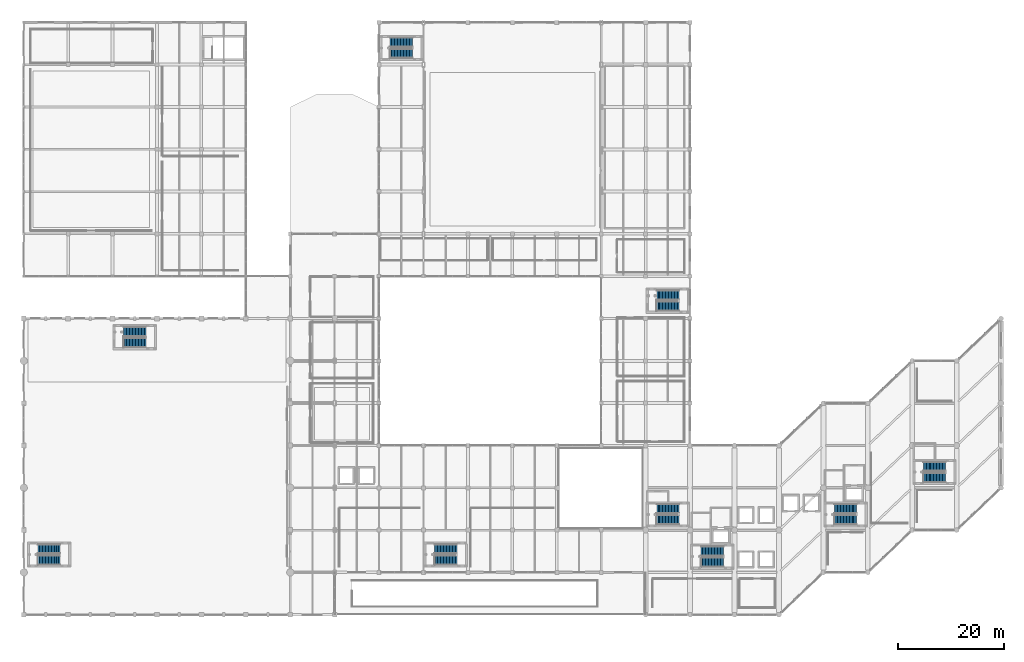
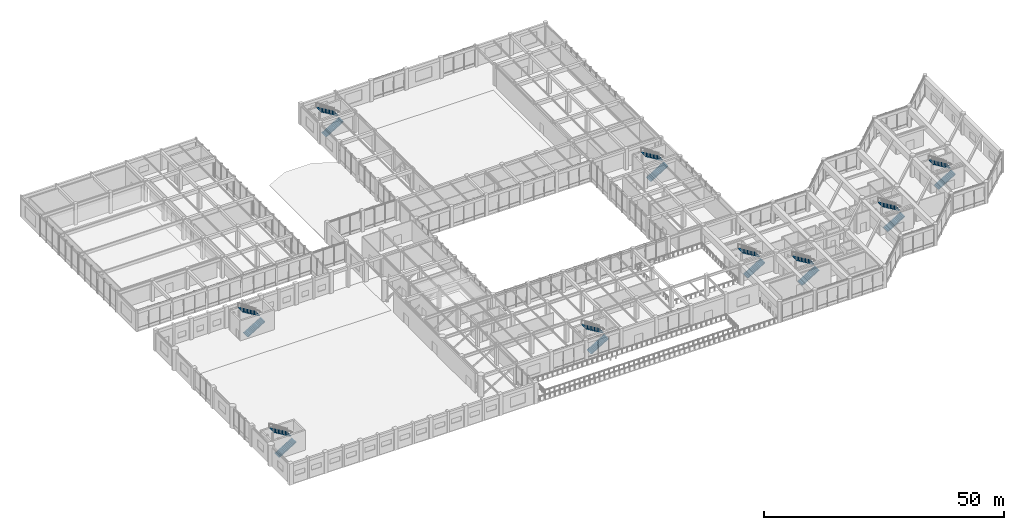
# One storey, part 65 of 79: 18 stair flights, 9 elements without a shape of their own.
"""IFC4 building model written with IfcOpenShell, lengths in metres."""

from ifc_helpers import new_model, si_unit, direction, frame, origin, place, context, subcontext, project, spatial, polyline, outline, extrude, material, type_object, element, aggregate, save


model = new_model("IFC4")

# Units and contexts
model_context = context("Model", 3, precision=1e-05, world=origin(), true_north=direction((0.0, 1.0)))
body_context = subcontext(model_context, "Body", "Model", "MODEL_VIEW")
ifc_project = project(units=[si_unit("LENGTHUNIT", "METRE"), si_unit("AREAUNIT", "SQUARE_METRE"), si_unit("VOLUMEUNIT", "CUBIC_METRE"), si_unit("PLANEANGLEUNIT", "RADIAN"), si_unit("MASSUNIT", "GRAM", prefix="KILO")], contexts=[model_context])

# Site, building, storey
site_placement = place(None, origin())
site = spatial("IfcSite", under=ifc_project, at=site_placement, CompositionType="ELEMENT")
building_placement = place(site_placement, origin())
building = spatial("IfcBuilding", under=site, at=building_placement, Name="Naruveol Harbour Congress Hotel", CompositionType="ELEMENT")
storey_placement = place(building_placement, frame((0.0, 0.0, 6.0)))
storey = spatial("IfcBuildingStorey", under=building, at=storey_placement, Name="L01", CompositionType="ELEMENT", Elevation=6.0)

# Stair, stair flights
ifc_material_1 = material(Name="Concrete C40/50", Category="concrete")
stair_type = type_object("IfcStairType", Name="RC DOG LEG ESCAPE STAIR 1800W H5400", PredefinedType="HALF_TURN_STAIR", material=ifc_material_1)
stair_1_placement = place(storey_placement, origin())
stair_1 = element("IfcStair", 1, at=stair_1_placement, inside=storey, type_object=stair_type, Name="Special Escape Stair ST1 L01 to L02", PredefinedType="HALF_TURN_STAIR")
ifc_material_2 = material(Name="Concrete C40/50", Category="concrete")
stair_flight_type = type_object("IfcStairFlightType", Name="RC STRAIGHT STAIR FLIGHT 1800W R16", PredefinedType="STRAIGHT", material=ifc_material_2)
stair_flight_1_placement = place(storey_placement, frame((128.10009765625, 9.919921875, 0.0), z_axis=(0.0, 0.0, 1.0), x_axis=(1.0, 0.0, 0.0)))
stair_flight_1 = element("IfcStairFlight", 2, at=stair_flight_1_placement, type_object=stair_flight_type, Name="ST1 L01 lower flight", NumberOfRisers=16, NumberOfTreads=15, PredefinedType="STRAIGHT", RiserHeight=0.16875, TreadLength=0.28, context=body_context, shape_type="SweptSolid", body=[
    extrude(outline(polyline([(0.0, 0.0), (0.0, 0.168701171875), (0.280029296875, 0.168701171875), (0.280029296875, 0.33740234375), (0.56005859375, 0.33740234375), (0.56005859375, 0.50634765625), (0.840087890625, 0.50634765625), (0.840087890625, 0.675048828125), (1.1201171875, 0.675048828125), (1.1201171875, 0.84375), (1.39990234375, 0.84375), (1.39990234375, 1.012451171875), (1.679931640625, 1.012451171875), (1.679931640625, 1.18115234375), (1.9599609375, 1.18115234375), (1.9599609375, 1.35009765625), (2.239990234375, 1.35009765625), (2.239990234375, 1.518798828125), (2.52001953125, 1.518798828125), (2.52001953125, 1.6875), (2.800048828125, 1.6875), (2.800048828125, 1.856201171875), (3.080078125, 1.856201171875), (3.080078125, 2.02490234375), (3.360107421875, 2.02490234375), (3.360107421875, 2.19384765625), (3.639892578125, 2.19384765625), (3.639892578125, 2.362548828125), (3.919921875, 2.362548828125), (3.919921875, 2.53125), (4.199951171875, 2.53125), (4.199951171875, 2.699951171875), (4.199951171875, 2.344482421875), (0.309814453125, 0.0), (0.0, 0.0)])), frame((0.0, 0.89990234375, 0.0), z_axis=(0.0, -1.0, 0.0), x_axis=(1.0, 0.0, 0.0)), (0.0, 0.0, 1.0), 1.800048828125),
])
stair_flight_2_placement = place(storey_placement, frame((132.300048828125, 12.0400390625, 2.699951171875), z_axis=(0.0, 0.0, 1.0), x_axis=(-1.0, 0.0, 0.0)))
stair_flight_2 = element("IfcStairFlight", 3, at=stair_flight_2_placement, type_object=stair_flight_type, Name="ST1 L01 upper flight", NumberOfRisers=16, NumberOfTreads=15, PredefinedType="STRAIGHT", RiserHeight=0.16875, TreadLength=0.28, context=body_context, shape_type="SweptSolid", body=[
    extrude(outline(polyline([(0.0, 0.0), (0.0, 0.168701171875), (0.280029296875, 0.168701171875), (0.280029296875, 0.33740234375), (0.56005859375, 0.33740234375), (0.56005859375, 0.50634765625), (0.840087890625, 0.50634765625), (0.840087890625, 0.675048828125), (1.1201171875, 0.675048828125), (1.1201171875, 0.84375), (1.39990234375, 0.84375), (1.39990234375, 1.012451171875), (1.679931640625, 1.012451171875), (1.679931640625, 1.18115234375), (1.9599609375, 1.18115234375), (1.9599609375, 1.35009765625), (2.239990234375, 1.35009765625), (2.239990234375, 1.518798828125), (2.52001953125, 1.518798828125), (2.52001953125, 1.6875), (2.800048828125, 1.6875), (2.800048828125, 1.856201171875), (3.080078125, 1.856201171875), (3.080078125, 2.02490234375), (3.360107421875, 2.02490234375), (3.360107421875, 2.19384765625), (3.639892578125, 2.19384765625), (3.639892578125, 2.362548828125), (3.919921875, 2.362548828125), (3.919921875, 2.53125), (4.199951171875, 2.53125), (4.199951171875, 2.699951171875), (4.199951171875, 2.344482421875), (0.309814453125, 0.0), (0.0, 0.0)])), frame((0.0, 0.89990234375, 0.0), z_axis=(0.0, -1.0, 0.0), x_axis=(1.0, 0.0, 0.0)), (0.0, 0.0, 1.0), 1.800048828125),
])
aggregate(stair_1, [stair_flight_1, stair_flight_2])

stair_2_placement = place(storey_placement, origin())
stair_2 = element("IfcStair", 4, at=stair_2_placement, inside=storey, type_object=stair_type, Name="Special Escape Stair ST2 L01 to L02", PredefinedType="HALF_TURN_STAIR")
stair_flight_3_placement = place(storey_placement, frame((153.300048828125, 17.919921875, 0.0), z_axis=(0.0, 0.0, 1.0), x_axis=(1.0, 0.0, 0.0)))
stair_flight_3 = element("IfcStairFlight", 5, at=stair_flight_3_placement, type_object=stair_flight_type, Name="ST2 L01 lower flight", NumberOfRisers=16, NumberOfTreads=15, PredefinedType="STRAIGHT", RiserHeight=0.16875, TreadLength=0.28, context=body_context, shape_type="SweptSolid", body=[
    extrude(outline(polyline([(0.0, 0.0), (0.0, 0.168701171875), (0.280029296875, 0.168701171875), (0.280029296875, 0.33740234375), (0.56005859375, 0.33740234375), (0.56005859375, 0.50634765625), (0.840087890625, 0.50634765625), (0.840087890625, 0.675048828125), (1.1201171875, 0.675048828125), (1.1201171875, 0.84375), (1.39990234375, 0.84375), (1.39990234375, 1.012451171875), (1.679931640625, 1.012451171875), (1.679931640625, 1.18115234375), (1.9599609375, 1.18115234375), (1.9599609375, 1.35009765625), (2.239990234375, 1.35009765625), (2.239990234375, 1.518798828125), (2.52001953125, 1.518798828125), (2.52001953125, 1.6875), (2.800048828125, 1.6875), (2.800048828125, 1.856201171875), (3.080078125, 1.856201171875), (3.080078125, 2.02490234375), (3.360107421875, 2.02490234375), (3.360107421875, 2.19384765625), (3.639892578125, 2.19384765625), (3.639892578125, 2.362548828125), (3.919921875, 2.362548828125), (3.919921875, 2.53125), (4.199951171875, 2.53125), (4.199951171875, 2.699951171875), (4.199951171875, 2.344482421875), (0.309814453125, 0.0), (0.0, 0.0)])), frame((0.0, 0.89990234375, 0.0), z_axis=(0.0, -1.0, 0.0), x_axis=(1.0, 0.0, 0.0)), (0.0, 0.0, 1.0), 1.800048828125),
])
stair_flight_4_placement = place(storey_placement, frame((157.5, 20.0400390625, 2.699951171875), z_axis=(0.0, 0.0, 1.0), x_axis=(-1.0, 0.0, 0.0)))
stair_flight_4 = element("IfcStairFlight", 6, at=stair_flight_4_placement, type_object=stair_flight_type, Name="ST2 L01 upper flight", NumberOfRisers=16, NumberOfTreads=15, PredefinedType="STRAIGHT", RiserHeight=0.16875, TreadLength=0.28, context=body_context, shape_type="SweptSolid", body=[
    extrude(outline(polyline([(0.0, 0.0), (0.0, 0.168701171875), (0.280029296875, 0.168701171875), (0.280029296875, 0.33740234375), (0.56005859375, 0.33740234375), (0.56005859375, 0.50634765625), (0.840087890625, 0.50634765625), (0.840087890625, 0.675048828125), (1.1201171875, 0.675048828125), (1.1201171875, 0.84375), (1.39990234375, 0.84375), (1.39990234375, 1.012451171875), (1.679931640625, 1.012451171875), (1.679931640625, 1.18115234375), (1.9599609375, 1.18115234375), (1.9599609375, 1.35009765625), (2.239990234375, 1.35009765625), (2.239990234375, 1.518798828125), (2.52001953125, 1.518798828125), (2.52001953125, 1.6875), (2.800048828125, 1.6875), (2.800048828125, 1.856201171875), (3.080078125, 1.856201171875), (3.080078125, 2.02490234375), (3.360107421875, 2.02490234375), (3.360107421875, 2.19384765625), (3.639892578125, 2.19384765625), (3.639892578125, 2.362548828125), (3.919921875, 2.362548828125), (3.919921875, 2.53125), (4.199951171875, 2.53125), (4.199951171875, 2.699951171875), (4.199951171875, 2.344482421875), (0.309814453125, 0.0), (0.0, 0.0)])), frame((0.0, 0.89990234375, 0.0), z_axis=(0.0, -1.0, 0.0), x_axis=(1.0, 0.0, 0.0)), (0.0, 0.0, 1.0), 1.800048828125),
])
aggregate(stair_2, [stair_flight_3, stair_flight_4])

stair_3_placement = place(storey_placement, origin())
stair_3 = element("IfcStair", 7, at=stair_3_placement, inside=storey, type_object=stair_type, Name="Special Escape Stair ST3 L01 to L02", PredefinedType="HALF_TURN_STAIR")
stair_flight_5_placement = place(storey_placement, frame((119.699951171875, 17.919921875, 0.0), z_axis=(0.0, 0.0, 1.0), x_axis=(1.0, 0.0, 0.0)))
stair_flight_5 = element("IfcStairFlight", 8, at=stair_flight_5_placement, type_object=stair_flight_type, Name="ST3 L01 lower flight", NumberOfRisers=16, NumberOfTreads=15, PredefinedType="STRAIGHT", RiserHeight=0.16875, TreadLength=0.28, context=body_context, shape_type="SweptSolid", body=[
    extrude(outline(polyline([(0.0, 0.0), (0.0, 0.168701171875), (0.280029296875, 0.168701171875), (0.280029296875, 0.33740234375), (0.56005859375, 0.33740234375), (0.56005859375, 0.50634765625), (0.840087890625, 0.50634765625), (0.840087890625, 0.675048828125), (1.1201171875, 0.675048828125), (1.1201171875, 0.84375), (1.39990234375, 0.84375), (1.39990234375, 1.012451171875), (1.679931640625, 1.012451171875), (1.679931640625, 1.18115234375), (1.9599609375, 1.18115234375), (1.9599609375, 1.35009765625), (2.239990234375, 1.35009765625), (2.239990234375, 1.518798828125), (2.52001953125, 1.518798828125), (2.52001953125, 1.6875), (2.800048828125, 1.6875), (2.800048828125, 1.856201171875), (3.080078125, 1.856201171875), (3.080078125, 2.02490234375), (3.360107421875, 2.02490234375), (3.360107421875, 2.19384765625), (3.639892578125, 2.19384765625), (3.639892578125, 2.362548828125), (3.919921875, 2.362548828125), (3.919921875, 2.53125), (4.199951171875, 2.53125), (4.199951171875, 2.699951171875), (4.199951171875, 2.344482421875), (0.309814453125, 0.0), (0.0, 0.0)])), frame((0.0, 0.89990234375, 0.0), z_axis=(0.0, -1.0, 0.0), x_axis=(1.0, 0.0, 0.0)), (0.0, 0.0, 1.0), 1.800048828125),
])
stair_flight_6_placement = place(storey_placement, frame((123.89990234375, 20.0400390625, 2.699951171875), z_axis=(0.0, 0.0, 1.0), x_axis=(-1.0, 0.0, 0.0)))
stair_flight_6 = element("IfcStairFlight", 9, at=stair_flight_6_placement, type_object=stair_flight_type, Name="ST3 L01 upper flight", NumberOfRisers=16, NumberOfTreads=15, PredefinedType="STRAIGHT", RiserHeight=0.16875, TreadLength=0.28, context=body_context, shape_type="SweptSolid", body=[
    extrude(outline(polyline([(0.0, 0.0), (0.0, 0.168701171875), (0.280029296875, 0.168701171875), (0.280029296875, 0.33740234375), (0.56005859375, 0.33740234375), (0.56005859375, 0.50634765625), (0.840087890625, 0.50634765625), (0.840087890625, 0.675048828125), (1.1201171875, 0.675048828125), (1.1201171875, 0.84375), (1.39990234375, 0.84375), (1.39990234375, 1.012451171875), (1.679931640625, 1.012451171875), (1.679931640625, 1.18115234375), (1.9599609375, 1.18115234375), (1.9599609375, 1.35009765625), (2.239990234375, 1.35009765625), (2.239990234375, 1.518798828125), (2.52001953125, 1.518798828125), (2.52001953125, 1.6875), (2.800048828125, 1.6875), (2.800048828125, 1.856201171875), (3.080078125, 1.856201171875), (3.080078125, 2.02490234375), (3.360107421875, 2.02490234375), (3.360107421875, 2.19384765625), (3.639892578125, 2.19384765625), (3.639892578125, 2.362548828125), (3.919921875, 2.362548828125), (3.919921875, 2.53125), (4.199951171875, 2.53125), (4.199951171875, 2.699951171875), (4.199951171875, 2.344482421875), (0.309814453125, 0.0), (0.0, 0.0)])), frame((0.0, 0.89990234375, 0.0), z_axis=(0.0, -1.0, 0.0), x_axis=(1.0, 0.0, 0.0)), (0.0, 0.0, 1.0), 1.800048828125),
])
aggregate(stair_3, [stair_flight_5, stair_flight_6])

stair_4_placement = place(storey_placement, origin())
stair_4 = element("IfcStair", 10, at=stair_4_placement, inside=storey, type_object=stair_type, Name="Special Escape Stair ST4 L01 to L02", PredefinedType="HALF_TURN_STAIR")
stair_flight_7_placement = place(storey_placement, frame((170.10009765625, 25.919921875, 0.0), z_axis=(0.0, 0.0, 1.0), x_axis=(1.0, 0.0, 0.0)))
stair_flight_7 = element("IfcStairFlight", 11, at=stair_flight_7_placement, type_object=stair_flight_type, Name="ST4 L01 lower flight", NumberOfRisers=16, NumberOfTreads=15, PredefinedType="STRAIGHT", RiserHeight=0.16875, TreadLength=0.28, context=body_context, shape_type="SweptSolid", body=[
    extrude(outline(polyline([(0.0, 0.0), (0.0, 0.168701171875), (0.280029296875, 0.168701171875), (0.280029296875, 0.33740234375), (0.56005859375, 0.33740234375), (0.56005859375, 0.50634765625), (0.840087890625, 0.50634765625), (0.840087890625, 0.675048828125), (1.1201171875, 0.675048828125), (1.1201171875, 0.84375), (1.39990234375, 0.84375), (1.39990234375, 1.012451171875), (1.679931640625, 1.012451171875), (1.679931640625, 1.18115234375), (1.9599609375, 1.18115234375), (1.9599609375, 1.35009765625), (2.239990234375, 1.35009765625), (2.239990234375, 1.518798828125), (2.52001953125, 1.518798828125), (2.52001953125, 1.6875), (2.800048828125, 1.6875), (2.800048828125, 1.856201171875), (3.080078125, 1.856201171875), (3.080078125, 2.02490234375), (3.360107421875, 2.02490234375), (3.360107421875, 2.19384765625), (3.639892578125, 2.19384765625), (3.639892578125, 2.362548828125), (3.919921875, 2.362548828125), (3.919921875, 2.53125), (4.199951171875, 2.53125), (4.199951171875, 2.699951171875), (4.199951171875, 2.344482421875), (0.309814453125, 0.0), (0.0, 0.0)])), frame((0.0, 0.89990234375, 0.0), z_axis=(0.0, -1.0, 0.0), x_axis=(1.0, 0.0, 0.0)), (0.0, 0.0, 1.0), 1.800048828125),
])
stair_flight_8_placement = place(storey_placement, frame((174.300048828125, 28.0400390625, 2.699951171875), z_axis=(0.0, 0.0, 1.0), x_axis=(-1.0, 0.0, 0.0)))
stair_flight_8 = element("IfcStairFlight", 12, at=stair_flight_8_placement, type_object=stair_flight_type, Name="ST4 L01 upper flight", NumberOfRisers=16, NumberOfTreads=15, PredefinedType="STRAIGHT", RiserHeight=0.16875, TreadLength=0.28, context=body_context, shape_type="SweptSolid", body=[
    extrude(outline(polyline([(0.0, 0.0), (0.0, 0.168701171875), (0.280029296875, 0.168701171875), (0.280029296875, 0.33740234375), (0.56005859375, 0.33740234375), (0.56005859375, 0.50634765625), (0.840087890625, 0.50634765625), (0.840087890625, 0.675048828125), (1.1201171875, 0.675048828125), (1.1201171875, 0.84375), (1.39990234375, 0.84375), (1.39990234375, 1.012451171875), (1.679931640625, 1.012451171875), (1.679931640625, 1.18115234375), (1.9599609375, 1.18115234375), (1.9599609375, 1.35009765625), (2.239990234375, 1.35009765625), (2.239990234375, 1.518798828125), (2.52001953125, 1.518798828125), (2.52001953125, 1.6875), (2.800048828125, 1.6875), (2.800048828125, 1.856201171875), (3.080078125, 1.856201171875), (3.080078125, 2.02490234375), (3.360107421875, 2.02490234375), (3.360107421875, 2.19384765625), (3.639892578125, 2.19384765625), (3.639892578125, 2.362548828125), (3.919921875, 2.362548828125), (3.919921875, 2.53125), (4.199951171875, 2.53125), (4.199951171875, 2.699951171875), (4.199951171875, 2.344482421875), (0.309814453125, 0.0), (0.0, 0.0)])), frame((0.0, 0.89990234375, 0.0), z_axis=(0.0, -1.0, 0.0), x_axis=(1.0, 0.0, 0.0)), (0.0, 0.0, 1.0), 1.800048828125),
])
aggregate(stair_4, [stair_flight_7, stair_flight_8])

stair_5_placement = place(storey_placement, origin())
stair_5 = element("IfcStair", 13, at=stair_5_placement, inside=storey, type_object=stair_type, Name="Congress West Exit Stair ST5 L01 to L02", PredefinedType="HALF_TURN_STAIR")
stair_flight_9_placement = place(storey_placement, frame((2.699951171875, 10.320068359375, 0.0), z_axis=(0.0, 0.0, 1.0), x_axis=(1.0, 0.0, 0.0)))
stair_flight_9 = element("IfcStairFlight", 14, at=stair_flight_9_placement, type_object=stair_flight_type, Name="ST5 L01 lower flight", NumberOfRisers=16, NumberOfTreads=15, PredefinedType="STRAIGHT", RiserHeight=0.16875, TreadLength=0.28, context=body_context, shape_type="SweptSolid", body=[
    extrude(outline(polyline([(0.0, 0.0), (0.0, 0.168701171875), (0.280029296875, 0.168701171875), (0.280029296875, 0.33740234375), (0.56005859375, 0.33740234375), (0.56005859375, 0.50634765625), (0.840087890625, 0.50634765625), (0.840087890625, 0.675048828125), (1.1201171875, 0.675048828125), (1.1201171875, 0.84375), (1.39990234375, 0.84375), (1.39990234375, 1.012451171875), (1.679931640625, 1.012451171875), (1.679931640625, 1.18115234375), (1.9599609375, 1.18115234375), (1.9599609375, 1.35009765625), (2.239990234375, 1.35009765625), (2.239990234375, 1.518798828125), (2.52001953125, 1.518798828125), (2.52001953125, 1.6875), (2.800048828125, 1.6875), (2.800048828125, 1.856201171875), (3.080078125, 1.856201171875), (3.080078125, 2.02490234375), (3.360107421875, 2.02490234375), (3.360107421875, 2.19384765625), (3.639892578125, 2.19384765625), (3.639892578125, 2.362548828125), (3.919921875, 2.362548828125), (3.919921875, 2.53125), (4.199951171875, 2.53125), (4.199951171875, 2.699951171875), (4.199951171875, 2.344482421875), (0.309814453125, 0.0), (0.0, 0.0)])), frame((0.0, 0.89990234375, 0.0), z_axis=(0.0, -1.0, 0.0), x_axis=(1.0, 0.0, 0.0)), (0.0, 0.0, 1.0), 1.800048828125),
])
stair_flight_10_placement = place(storey_placement, frame((6.89990234375, 12.43994140625, 2.699951171875), z_axis=(0.0, 0.0, 1.0), x_axis=(-1.0, 0.0, 0.0)))
stair_flight_10 = element("IfcStairFlight", 15, at=stair_flight_10_placement, type_object=stair_flight_type, Name="ST5 L01 upper flight", NumberOfRisers=16, NumberOfTreads=15, PredefinedType="STRAIGHT", RiserHeight=0.16875, TreadLength=0.28, context=body_context, shape_type="SweptSolid", body=[
    extrude(outline(polyline([(0.0, 0.0), (0.0, 0.168701171875), (0.280029296875, 0.168701171875), (0.280029296875, 0.33740234375), (0.56005859375, 0.33740234375), (0.56005859375, 0.50634765625), (0.840087890625, 0.50634765625), (0.840087890625, 0.675048828125), (1.1201171875, 0.675048828125), (1.1201171875, 0.84375), (1.39990234375, 0.84375), (1.39990234375, 1.012451171875), (1.679931640625, 1.012451171875), (1.679931640625, 1.18115234375), (1.9599609375, 1.18115234375), (1.9599609375, 1.35009765625), (2.239990234375, 1.35009765625), (2.239990234375, 1.518798828125), (2.52001953125, 1.518798828125), (2.52001953125, 1.6875), (2.800048828125, 1.6875), (2.800048828125, 1.856201171875), (3.080078125, 1.856201171875), (3.080078125, 2.02490234375), (3.360107421875, 2.02490234375), (3.360107421875, 2.19384765625), (3.639892578125, 2.19384765625), (3.639892578125, 2.362548828125), (3.919921875, 2.362548828125), (3.919921875, 2.53125), (4.199951171875, 2.53125), (4.199951171875, 2.699951171875), (4.199951171875, 2.344482421875), (0.309814453125, 0.0), (0.0, 0.0)])), frame((0.0, 0.89990234375, 0.0), z_axis=(0.0, -1.0, 0.0), x_axis=(1.0, 0.0, 0.0)), (0.0, 0.0, 1.0), 1.800048828125),
])
aggregate(stair_5, [stair_flight_9, stair_flight_10])

stair_6_placement = place(storey_placement, origin())
stair_6 = element("IfcStair", 16, at=stair_6_placement, inside=storey, type_object=stair_type, Name="Congress North Exit Stair ST6 L01 to L02", PredefinedType="HALF_TURN_STAIR")
stair_flight_11_placement = place(storey_placement, frame((18.89990234375, 51.419921875, 0.0), z_axis=(0.0, 0.0, 1.0), x_axis=(1.0, 0.0, 0.0)))
stair_flight_11 = element("IfcStairFlight", 17, at=stair_flight_11_placement, type_object=stair_flight_type, Name="ST6 L01 lower flight", NumberOfRisers=16, NumberOfTreads=15, PredefinedType="STRAIGHT", RiserHeight=0.16875, TreadLength=0.28, context=body_context, shape_type="SweptSolid", body=[
    extrude(outline(polyline([(0.0, 0.0), (0.0, 0.168701171875), (0.280029296875, 0.168701171875), (0.280029296875, 0.33740234375), (0.56005859375, 0.33740234375), (0.56005859375, 0.50634765625), (0.840087890625, 0.50634765625), (0.840087890625, 0.675048828125), (1.1201171875, 0.675048828125), (1.1201171875, 0.84375), (1.39990234375, 0.84375), (1.39990234375, 1.012451171875), (1.679931640625, 1.012451171875), (1.679931640625, 1.18115234375), (1.9599609375, 1.18115234375), (1.9599609375, 1.35009765625), (2.239990234375, 1.35009765625), (2.239990234375, 1.518798828125), (2.52001953125, 1.518798828125), (2.52001953125, 1.6875), (2.800048828125, 1.6875), (2.800048828125, 1.856201171875), (3.080078125, 1.856201171875), (3.080078125, 2.02490234375), (3.360107421875, 2.02490234375), (3.360107421875, 2.19384765625), (3.639892578125, 2.19384765625), (3.639892578125, 2.362548828125), (3.919921875, 2.362548828125), (3.919921875, 2.53125), (4.199951171875, 2.53125), (4.199951171875, 2.699951171875), (4.199951171875, 2.344482421875), (0.309814453125, 0.0), (0.0, 0.0)])), frame((0.0, 0.89990234375, 0.0), z_axis=(0.0, -1.0, 0.0), x_axis=(1.0, 0.0, 0.0)), (0.0, 0.0, 1.0), 1.800048828125),
])
stair_flight_12_placement = place(storey_placement, frame((23.10009765625, 53.5400390625, 2.699951171875), z_axis=(0.0, 0.0, 1.0), x_axis=(-1.0, 0.0, 0.0)))
stair_flight_12 = element("IfcStairFlight", 18, at=stair_flight_12_placement, type_object=stair_flight_type, Name="ST6 L01 upper flight", NumberOfRisers=16, NumberOfTreads=15, PredefinedType="STRAIGHT", RiserHeight=0.16875, TreadLength=0.28, context=body_context, shape_type="SweptSolid", body=[
    extrude(outline(polyline([(0.0, 0.0), (0.0, 0.168701171875), (0.280029296875, 0.168701171875), (0.280029296875, 0.33740234375), (0.56005859375, 0.33740234375), (0.56005859375, 0.50634765625), (0.840087890625, 0.50634765625), (0.840087890625, 0.675048828125), (1.1201171875, 0.675048828125), (1.1201171875, 0.84375), (1.39990234375, 0.84375), (1.39990234375, 1.012451171875), (1.679931640625, 1.012451171875), (1.679931640625, 1.18115234375), (1.9599609375, 1.18115234375), (1.9599609375, 1.35009765625), (2.239990234375, 1.35009765625), (2.239990234375, 1.518798828125), (2.52001953125, 1.518798828125), (2.52001953125, 1.6875), (2.800048828125, 1.6875), (2.800048828125, 1.856201171875), (3.080078125, 1.856201171875), (3.080078125, 2.02490234375), (3.360107421875, 2.02490234375), (3.360107421875, 2.19384765625), (3.639892578125, 2.19384765625), (3.639892578125, 2.362548828125), (3.919921875, 2.362548828125), (3.919921875, 2.53125), (4.199951171875, 2.53125), (4.199951171875, 2.699951171875), (4.199951171875, 2.344482421875), (0.309814453125, 0.0), (0.0, 0.0)])), frame((0.0, 0.89990234375, 0.0), z_axis=(0.0, -1.0, 0.0), x_axis=(1.0, 0.0, 0.0)), (0.0, 0.0, 1.0), 1.800048828125),
])
aggregate(stair_6, [stair_flight_11, stair_flight_12])

stair_7_placement = place(storey_placement, origin())
stair_7 = element("IfcStair", 19, at=stair_7_placement, inside=storey, type_object=stair_type, Name="Ballroom West Exit Stair ST8 L01 to L02", PredefinedType="HALF_TURN_STAIR")
stair_flight_13_placement = place(storey_placement, frame((69.300048828125, 106.1201171875, 0.0), z_axis=(0.0, 0.0, 1.0), x_axis=(1.0, 0.0, 0.0)))
stair_flight_13 = element("IfcStairFlight", 20, at=stair_flight_13_placement, type_object=stair_flight_type, Name="ST8 L01 lower flight", NumberOfRisers=16, NumberOfTreads=15, PredefinedType="STRAIGHT", RiserHeight=0.16875, TreadLength=0.28, context=body_context, shape_type="SweptSolid", body=[
    extrude(outline(polyline([(0.0, 0.0), (0.0, 0.168701171875), (0.280029296875, 0.168701171875), (0.280029296875, 0.33740234375), (0.56005859375, 0.33740234375), (0.56005859375, 0.50634765625), (0.840087890625, 0.50634765625), (0.840087890625, 0.675048828125), (1.1201171875, 0.675048828125), (1.1201171875, 0.84375), (1.39990234375, 0.84375), (1.39990234375, 1.012451171875), (1.679931640625, 1.012451171875), (1.679931640625, 1.18115234375), (1.9599609375, 1.18115234375), (1.9599609375, 1.35009765625), (2.239990234375, 1.35009765625), (2.239990234375, 1.518798828125), (2.52001953125, 1.518798828125), (2.52001953125, 1.6875), (2.800048828125, 1.6875), (2.800048828125, 1.856201171875), (3.080078125, 1.856201171875), (3.080078125, 2.02490234375), (3.360107421875, 2.02490234375), (3.360107421875, 2.19384765625), (3.639892578125, 2.19384765625), (3.639892578125, 2.362548828125), (3.919921875, 2.362548828125), (3.919921875, 2.53125), (4.199951171875, 2.53125), (4.199951171875, 2.699951171875), (4.199951171875, 2.344482421875), (0.309814453125, 0.0), (0.0, 0.0)])), frame((0.0, 0.89990234375, 0.0), z_axis=(0.0, -1.0, 0.0), x_axis=(1.0, 0.0, 0.0)), (0.0, 0.0, 1.0), 1.800048828125),
])
stair_flight_14_placement = place(storey_placement, frame((73.5, 108.239990234375, 2.699951171875), z_axis=(0.0, 0.0, 1.0), x_axis=(-1.0, 0.0, 0.0)))
stair_flight_14 = element("IfcStairFlight", 21, at=stair_flight_14_placement, type_object=stair_flight_type, Name="ST8 L01 upper flight", NumberOfRisers=16, NumberOfTreads=15, PredefinedType="STRAIGHT", RiserHeight=0.16875, TreadLength=0.28, context=body_context, shape_type="SweptSolid", body=[
    extrude(outline(polyline([(0.0, 0.0), (0.0, 0.168701171875), (0.280029296875, 0.168701171875), (0.280029296875, 0.33740234375), (0.56005859375, 0.33740234375), (0.56005859375, 0.50634765625), (0.840087890625, 0.50634765625), (0.840087890625, 0.675048828125), (1.1201171875, 0.675048828125), (1.1201171875, 0.84375), (1.39990234375, 0.84375), (1.39990234375, 1.012451171875), (1.679931640625, 1.012451171875), (1.679931640625, 1.18115234375), (1.9599609375, 1.18115234375), (1.9599609375, 1.35009765625), (2.239990234375, 1.35009765625), (2.239990234375, 1.518798828125), (2.52001953125, 1.518798828125), (2.52001953125, 1.6875), (2.800048828125, 1.6875), (2.800048828125, 1.856201171875), (3.080078125, 1.856201171875), (3.080078125, 2.02490234375), (3.360107421875, 2.02490234375), (3.360107421875, 2.19384765625), (3.639892578125, 2.19384765625), (3.639892578125, 2.362548828125), (3.919921875, 2.362548828125), (3.919921875, 2.53125), (4.199951171875, 2.53125), (4.199951171875, 2.699951171875), (4.199951171875, 2.344482421875), (0.309814453125, 0.0), (0.0, 0.0)])), frame((0.0, 0.89990234375, 0.0), z_axis=(0.0, -1.0, 0.0), x_axis=(1.0, 0.0, 0.0)), (0.0, 0.0, 1.0), 1.800048828125),
])
aggregate(stair_7, [stair_flight_13, stair_flight_14])

stair_8_placement = place(storey_placement, origin())
stair_8 = element("IfcStair", 22, at=stair_8_placement, inside=storey, type_object=stair_type, Name="Courtyard North-East Exit Stair ST9 L01 to L02", PredefinedType="HALF_TURN_STAIR")
stair_flight_15_placement = place(storey_placement, frame((119.699951171875, 58.320068359375, 0.0), z_axis=(0.0, 0.0, 1.0), x_axis=(1.0, 0.0, 0.0)))
stair_flight_15 = element("IfcStairFlight", 23, at=stair_flight_15_placement, type_object=stair_flight_type, Name="ST9 L01 lower flight", NumberOfRisers=16, NumberOfTreads=15, PredefinedType="STRAIGHT", RiserHeight=0.16875, TreadLength=0.28, context=body_context, shape_type="SweptSolid", body=[
    extrude(outline(polyline([(0.0, 0.0), (0.0, 0.168701171875), (0.280029296875, 0.168701171875), (0.280029296875, 0.33740234375), (0.56005859375, 0.33740234375), (0.56005859375, 0.50634765625), (0.840087890625, 0.50634765625), (0.840087890625, 0.675048828125), (1.1201171875, 0.675048828125), (1.1201171875, 0.84375), (1.39990234375, 0.84375), (1.39990234375, 1.012451171875), (1.679931640625, 1.012451171875), (1.679931640625, 1.18115234375), (1.9599609375, 1.18115234375), (1.9599609375, 1.35009765625), (2.239990234375, 1.35009765625), (2.239990234375, 1.518798828125), (2.52001953125, 1.518798828125), (2.52001953125, 1.6875), (2.800048828125, 1.6875), (2.800048828125, 1.856201171875), (3.080078125, 1.856201171875), (3.080078125, 2.02490234375), (3.360107421875, 2.02490234375), (3.360107421875, 2.19384765625), (3.639892578125, 2.19384765625), (3.639892578125, 2.362548828125), (3.919921875, 2.362548828125), (3.919921875, 2.53125), (4.199951171875, 2.53125), (4.199951171875, 2.699951171875), (4.199951171875, 2.344482421875), (0.309814453125, 0.0), (0.0, 0.0)])), frame((0.0, 0.89990234375, 0.0), z_axis=(0.0, -1.0, 0.0), x_axis=(1.0, 0.0, 0.0)), (0.0, 0.0, 1.0), 1.800048828125),
])
stair_flight_16_placement = place(storey_placement, frame((123.89990234375, 60.43994140625, 2.699951171875), z_axis=(0.0, 0.0, 1.0), x_axis=(-1.0, 0.0, 0.0)))
stair_flight_16 = element("IfcStairFlight", 24, at=stair_flight_16_placement, type_object=stair_flight_type, Name="ST9 L01 upper flight", NumberOfRisers=16, NumberOfTreads=15, PredefinedType="STRAIGHT", RiserHeight=0.16875, TreadLength=0.28, context=body_context, shape_type="SweptSolid", body=[
    extrude(outline(polyline([(0.0, 0.0), (0.0, 0.168701171875), (0.280029296875, 0.168701171875), (0.280029296875, 0.33740234375), (0.56005859375, 0.33740234375), (0.56005859375, 0.50634765625), (0.840087890625, 0.50634765625), (0.840087890625, 0.675048828125), (1.1201171875, 0.675048828125), (1.1201171875, 0.84375), (1.39990234375, 0.84375), (1.39990234375, 1.012451171875), (1.679931640625, 1.012451171875), (1.679931640625, 1.18115234375), (1.9599609375, 1.18115234375), (1.9599609375, 1.35009765625), (2.239990234375, 1.35009765625), (2.239990234375, 1.518798828125), (2.52001953125, 1.518798828125), (2.52001953125, 1.6875), (2.800048828125, 1.6875), (2.800048828125, 1.856201171875), (3.080078125, 1.856201171875), (3.080078125, 2.02490234375), (3.360107421875, 2.02490234375), (3.360107421875, 2.19384765625), (3.639892578125, 2.19384765625), (3.639892578125, 2.362548828125), (3.919921875, 2.362548828125), (3.919921875, 2.53125), (4.199951171875, 2.53125), (4.199951171875, 2.699951171875), (4.199951171875, 2.344482421875), (0.309814453125, 0.0), (0.0, 0.0)])), frame((0.0, 0.89990234375, 0.0), z_axis=(0.0, -1.0, 0.0), x_axis=(1.0, 0.0, 0.0)), (0.0, 0.0, 1.0), 1.800048828125),
])
aggregate(stair_8, [stair_flight_15, stair_flight_16])

stair_9_placement = place(storey_placement, origin())
stair_9 = element("IfcStair", 25, at=stair_9_placement, inside=storey, type_object=stair_type, Name="Courtyard South-West Exit Stair ST10 L01 to L02", PredefinedType="HALF_TURN_STAIR")
stair_flight_17_placement = place(storey_placement, frame((77.699951171875, 10.320068359375, 0.0), z_axis=(0.0, 0.0, 1.0), x_axis=(1.0, 0.0, 0.0)))
stair_flight_17 = element("IfcStairFlight", 26, at=stair_flight_17_placement, type_object=stair_flight_type, Name="ST10 L01 lower flight", NumberOfRisers=16, NumberOfTreads=15, PredefinedType="STRAIGHT", RiserHeight=0.16875, TreadLength=0.28, context=body_context, shape_type="SweptSolid", body=[
    extrude(outline(polyline([(0.0, 0.0), (0.0, 0.168701171875), (0.280029296875, 0.168701171875), (0.280029296875, 0.33740234375), (0.56005859375, 0.33740234375), (0.56005859375, 0.50634765625), (0.840087890625, 0.50634765625), (0.840087890625, 0.675048828125), (1.1201171875, 0.675048828125), (1.1201171875, 0.84375), (1.39990234375, 0.84375), (1.39990234375, 1.012451171875), (1.679931640625, 1.012451171875), (1.679931640625, 1.18115234375), (1.9599609375, 1.18115234375), (1.9599609375, 1.35009765625), (2.239990234375, 1.35009765625), (2.239990234375, 1.518798828125), (2.52001953125, 1.518798828125), (2.52001953125, 1.6875), (2.800048828125, 1.6875), (2.800048828125, 1.856201171875), (3.080078125, 1.856201171875), (3.080078125, 2.02490234375), (3.360107421875, 2.02490234375), (3.360107421875, 2.19384765625), (3.639892578125, 2.19384765625), (3.639892578125, 2.362548828125), (3.919921875, 2.362548828125), (3.919921875, 2.53125), (4.199951171875, 2.53125), (4.199951171875, 2.699951171875), (4.199951171875, 2.344482421875), (0.309814453125, 0.0), (0.0, 0.0)])), frame((0.0, 0.89990234375, 0.0), z_axis=(0.0, -1.0, 0.0), x_axis=(1.0, 0.0, 0.0)), (0.0, 0.0, 1.0), 1.800048828125),
])
stair_flight_18_placement = place(storey_placement, frame((81.89990234375, 12.43994140625, 2.699951171875), z_axis=(0.0, 0.0, 1.0), x_axis=(-1.0, 0.0, 0.0)))
stair_flight_18 = element("IfcStairFlight", 27, at=stair_flight_18_placement, type_object=stair_flight_type, Name="ST10 L01 upper flight", NumberOfRisers=16, NumberOfTreads=15, PredefinedType="STRAIGHT", RiserHeight=0.16875, TreadLength=0.28, context=body_context, shape_type="SweptSolid", body=[
    extrude(outline(polyline([(0.0, 0.0), (0.0, 0.168701171875), (0.280029296875, 0.168701171875), (0.280029296875, 0.33740234375), (0.56005859375, 0.33740234375), (0.56005859375, 0.50634765625), (0.840087890625, 0.50634765625), (0.840087890625, 0.675048828125), (1.1201171875, 0.675048828125), (1.1201171875, 0.84375), (1.39990234375, 0.84375), (1.39990234375, 1.012451171875), (1.679931640625, 1.012451171875), (1.679931640625, 1.18115234375), (1.9599609375, 1.18115234375), (1.9599609375, 1.35009765625), (2.239990234375, 1.35009765625), (2.239990234375, 1.518798828125), (2.52001953125, 1.518798828125), (2.52001953125, 1.6875), (2.800048828125, 1.6875), (2.800048828125, 1.856201171875), (3.080078125, 1.856201171875), (3.080078125, 2.02490234375), (3.360107421875, 2.02490234375), (3.360107421875, 2.19384765625), (3.639892578125, 2.19384765625), (3.639892578125, 2.362548828125), (3.919921875, 2.362548828125), (3.919921875, 2.53125), (4.199951171875, 2.53125), (4.199951171875, 2.699951171875), (4.199951171875, 2.344482421875), (0.309814453125, 0.0), (0.0, 0.0)])), frame((0.0, 0.89990234375, 0.0), z_axis=(0.0, -1.0, 0.0), x_axis=(1.0, 0.0, 0.0)), (0.0, 0.0, 1.0), 1.800048828125),
])
aggregate(stair_9, [stair_flight_17, stair_flight_18])

save(model, "model.ifc")
